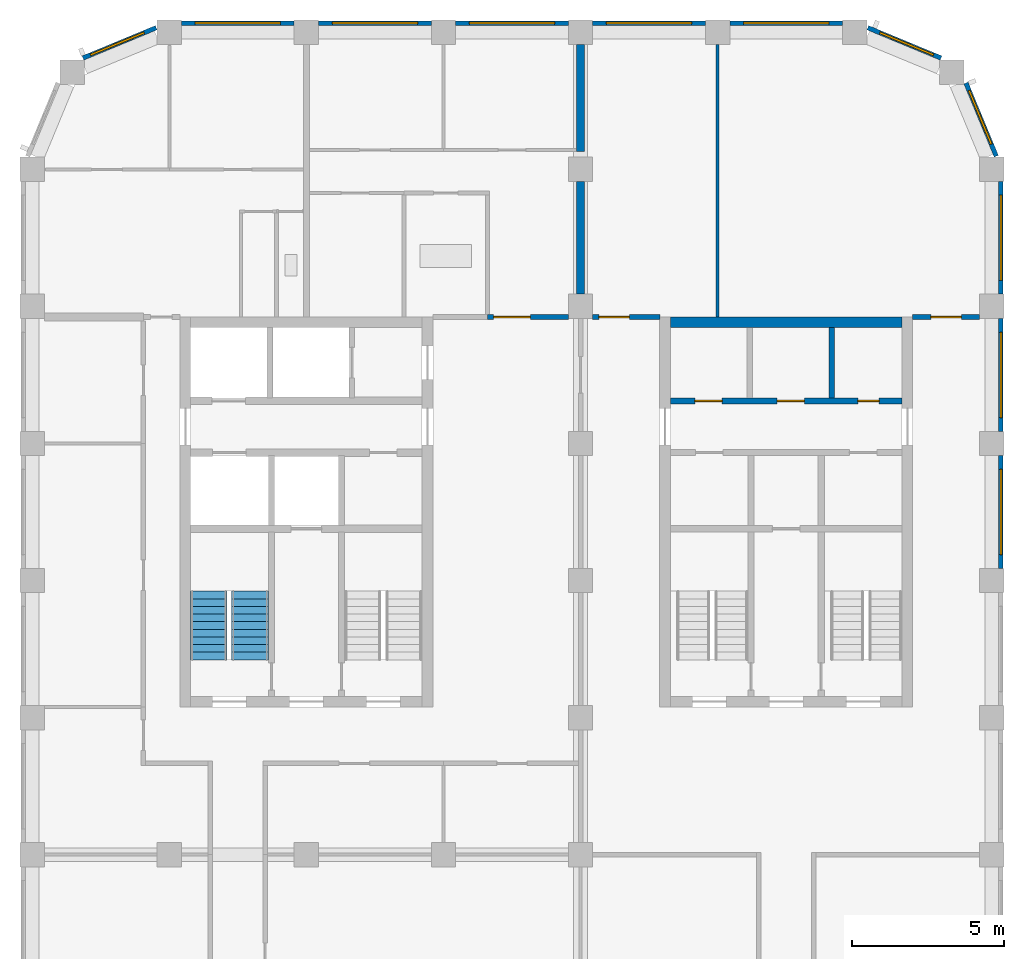
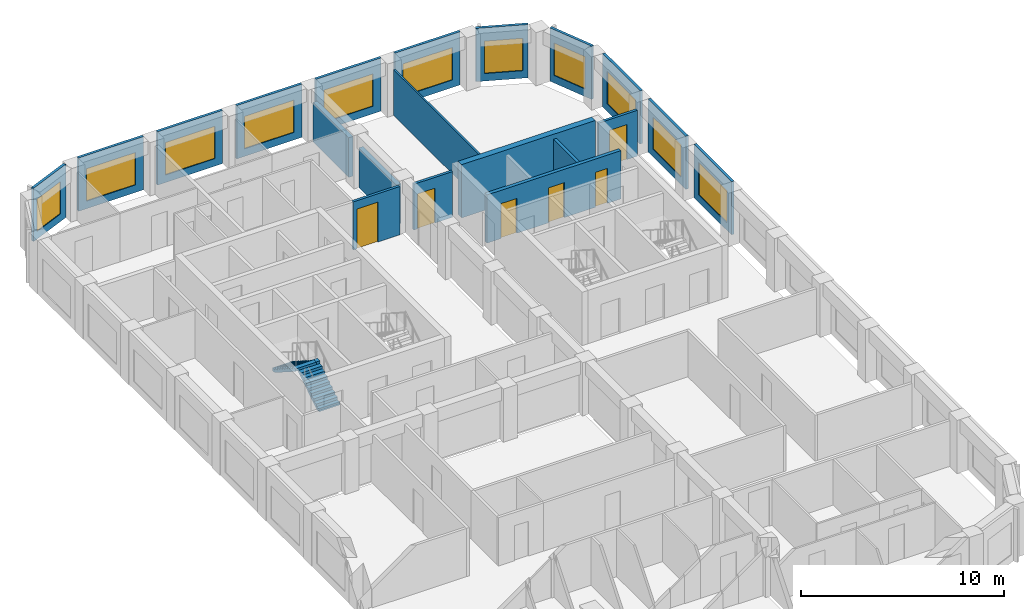
# One storey, part 7 of 10: 20 walls, 11 windows, 6 doors, 2 stair flights, 17 openings, 1 element without a shape of its own.
"""IFC4 building model written with IfcOpenShell, lengths in metres."""

from ifc_helpers import new_model, si_unit, direction, frame, frame_2d, origin, place, context, subcontext, project, spatial, polyline, rectangle, outline, extrude, material, layer, layer_set, type_object, element, fill, aggregate, save


model = new_model("IFC4")

# Units and contexts
model_context = context("Model", 3, precision=1e-05, world=origin(), true_north=direction((0.0, 1.0)))
body_context = subcontext(model_context, "Body", "Model", "MODEL_VIEW")
ifc_project = project(units=[si_unit("LENGTHUNIT", "METRE"), si_unit("AREAUNIT", "SQUARE_METRE"), si_unit("VOLUMEUNIT", "CUBIC_METRE"), si_unit("PLANEANGLEUNIT", "RADIAN"), si_unit("MASSUNIT", "GRAM", prefix="KILO")], contexts=[model_context])

# Site, building, storey
site_placement = place(None, origin())
site = spatial("IfcSite", under=ifc_project, at=site_placement, CompositionType="ELEMENT")
building_placement = place(site_placement, origin())
building = spatial("IfcBuilding", under=site, at=building_placement, Name="Girih Gate Residences", CompositionType="ELEMENT")
storey_placement = place(building_placement, frame((0.0, 0.0, 195.5)))
storey = spatial("IfcBuildingStorey", under=building, at=storey_placement, Name="L54", CompositionType="ELEMENT", Elevation=195.5)

# Walls
ifc_material_1 = material(Name="Gypsum board on steel studs", Category="steel")
ifc_layer_1 = layer(ifc_material_1, 0.25)
ifc_layer_set_1 = layer_set([ifc_layer_1], Name="Acoustic separating wall 250 mm")
wall_type_1 = type_object("IfcWallType", Name="Acoustic separating wall 250 mm", PredefinedType="PARTITIONING", material=ifc_layer_set_1)
wall_1_placement = place(storey_placement, frame((18.0, 45.590087890625, 0.0), z_axis=(0.0, 0.0, 1.0), x_axis=(0.0, 1.0, 0.0)))
element("IfcWall", 1, at=wall_1_placement, inside=storey, type_object=wall_type_1, Name="L54 partition", PredefinedType="PARTITIONING", context=body_context, shape_type="SweptSolid", body=[
    extrude(rectangle(XDim=3.510009765625, YDim=0.25, at=frame_2d((1.7548828125, 0.0))), origin(), (0.0, 0.0, 1.0), 2.3798828125),
])
wall_2_placement = place(storey_placement, frame((18.0, 40.89990234375, 0.0), z_axis=(0.0, 0.0, 1.0), x_axis=(0.0, 1.0, 0.0)))
element("IfcWall", 2, at=wall_2_placement, inside=storey, type_object=wall_type_1, Name="L54 partition", PredefinedType="PARTITIONING", context=body_context, shape_type="SweptSolid", body=[
    extrude(rectangle(XDim=3.7001953125, YDim=0.25, at=frame_2d((1.85009765625, 0.0))), origin(), (0.0, 0.0, 1.0), 2.3798828125),
])

# Wall, opening, door
ifc_layer_2 = layer(ifc_material_1, 0.14990234375)
ifc_layer_set_2 = layer_set([ifc_layer_2], Name="Compartment wall 150 mm")
wall_type_2 = type_object("IfcWallType", Name="Compartment wall 150 mm", PredefinedType="PARTITIONING", material=ifc_layer_set_2)
wall_3_placement = place(storey_placement, frame((14.949951171875, 40.14990234375, 0.0), z_axis=(0.0, 0.0, 1.0), x_axis=(1.0, 0.0, 0.0)))
wall_3 = element("IfcWall", 3, at=wall_3_placement, inside=storey, type_object=wall_type_2, Name="L54 partition", PredefinedType="PARTITIONING", context=body_context, shape_type="SweptSolid", body=[
    extrude(rectangle(XDim=2.650146484375, YDim=0.14990234375, at=frame_2d((1.3251953125, 0.0))), origin(), (0.0, 0.0, 1.0), 2.89990234375),
])
opening_1_placement = place(wall_3_placement, frame((0.199951171875, 0.0, 0.0)))
opening_1 = element("IfcOpeningElement", 4, at=opening_1_placement, cuts=wall_3, Name="Opening A54-020", PredefinedType="OPENING", context=body_context, shape_type="SweptSolid", body=[
    extrude(rectangle(XDim=1.199951171875, YDim=2.39990234375, at=frame_2d((0.60009765625, 1.199951171875))), frame((0.0, 0.0849609375, 0.0), z_axis=(0.0, -1.0, 0.0), x_axis=(1.0, 0.0, 0.0)), (0.0, 0.0, 1.0), 0.169921875),
])
ifc_material_2 = material(Name="Timber, fire-rated core", Category="wood")
door_type_1 = type_object("IfcDoorType", Name="Villa entrance door 1200x2400 FD30S", OperationType="NOTDEFINED", PredefinedType="DOOR", material=ifc_material_2)
door_1_placement = place(opening_1_placement, origin())
door_1 = element("IfcDoor", 5, at=door_1_placement, inside=storey, type_object=door_type_1, Name="Door A54-020", OperationType="SINGLE_SWING_LEFT", OverallHeight=2.39990234375, OverallWidth=1.199951171875, PredefinedType="DOOR", context=body_context, shape_type="SweptSolid", body=[
    extrude(rectangle(XDim=1.199951171875, YDim=2.39990234375, at=frame_2d((0.60009765625, 1.199951171875))), frame((0.0, 0.02490234375, 0.0), z_axis=(0.0, -1.0, 0.0), x_axis=(1.0, 0.0, 0.0)), (0.0, 0.0, 1.0), 0.050048828125),
])
fill(opening_1, door_1)

wall_4_placement = place(storey_placement, frame((18.39990234375, 40.14990234375, 0.0), z_axis=(0.0, 0.0, 1.0), x_axis=(1.0, 0.0, 0.0)))
wall_4 = element("IfcWall", 6, at=wall_4_placement, inside=storey, type_object=wall_type_2, Name="L54 partition", PredefinedType="PARTITIONING", context=body_context, shape_type="SweptSolid", body=[
    extrude(rectangle(XDim=2.2001953125, YDim=0.14990234375, at=frame_2d((1.10009765625, 0.0))), origin(), (0.0, 0.0, 1.0), 2.75),
])
opening_2_placement = place(wall_4_placement, frame((0.199951171875, 0.0, 0.0)))
opening_2 = element("IfcOpeningElement", 7, at=opening_2_placement, cuts=wall_4, Name="Opening A54-028", PredefinedType="OPENING", context=body_context, shape_type="SweptSolid", body=[
    extrude(rectangle(XDim=1.0, YDim=2.10009765625, at=frame_2d((0.5, 1.050048828125))), frame((0.0, 0.0849609375, 0.0), z_axis=(0.0, -1.0, 0.0), x_axis=(1.0, 0.0, 0.0)), (0.0, 0.0, 1.0), 0.169921875),
])
door_type_2 = type_object("IfcDoorType", Name="Amenity room door 1000x2100 FD30S", OperationType="NOTDEFINED", PredefinedType="DOOR", material=ifc_material_2)
door_2_placement = place(opening_2_placement, origin())
door_2 = element("IfcDoor", 8, at=door_2_placement, inside=storey, type_object=door_type_2, Name="Door A54-028", OperationType="SINGLE_SWING_LEFT", OverallHeight=2.10009765625, OverallWidth=1.0, PredefinedType="DOOR", context=body_context, shape_type="SweptSolid", body=[
    extrude(rectangle(XDim=1.0, YDim=2.10009765625, at=frame_2d((0.5, 1.050048828125))), frame((0.0, 0.02490234375, 0.0), z_axis=(0.0, -1.0, 0.0), x_axis=(1.0, 0.0, 0.0)), (0.0, 0.0, 1.0), 0.050048828125),
])
fill(opening_2, door_2)

wall_5_placement = place(storey_placement, frame((28.89990234375, 40.14990234375, 0.0), z_axis=(0.0, 0.0, 1.0), x_axis=(1.0, 0.0, 0.0)))
wall_5 = element("IfcWall", 9, at=wall_5_placement, inside=storey, type_object=wall_type_2, Name="L54 partition", PredefinedType="PARTITIONING", context=body_context, shape_type="SweptSolid", body=[
    extrude(rectangle(XDim=2.2001953125, YDim=0.14990234375, at=frame_2d((1.10009765625, 0.0))), origin(), (0.0, 0.0, 1.0), 2.75),
])
opening_3_placement = place(wall_5_placement, frame((0.60009765625, 0.0, 0.0)))
opening_3 = element("IfcOpeningElement", 10, at=opening_3_placement, cuts=wall_5, Name="Opening A54-029", PredefinedType="OPENING", context=body_context, shape_type="SweptSolid", body=[
    extrude(rectangle(XDim=1.0, YDim=2.10009765625, at=frame_2d((0.5, 1.050048828125))), frame((0.0, 0.0849609375, 0.0), z_axis=(0.0, -1.0, 0.0), x_axis=(1.0, 0.0, 0.0)), (0.0, 0.0, 1.0), 0.169921875),
])
door_3_placement = place(opening_3_placement, origin())
door_3 = element("IfcDoor", 11, at=door_3_placement, inside=storey, type_object=door_type_2, Name="Door A54-029", OperationType="SINGLE_SWING_RIGHT", OverallHeight=2.10009765625, OverallWidth=1.0, PredefinedType="DOOR", context=body_context, shape_type="SweptSolid", body=[
    extrude(rectangle(XDim=1.0, YDim=2.10009765625, at=frame_2d((0.5, 1.050048828125))), frame((0.0, 0.02490234375, 0.0), z_axis=(0.0, -1.0, 0.0), x_axis=(1.0, 0.0, 0.0)), (0.0, 0.0, 1.0), 0.050048828125),
])
fill(opening_3, door_3)

# Wall
ifc_layer_3 = layer(ifc_material_1, 0.10009765625)
ifc_layer_set_3 = layer_set([ifc_layer_3], Name="Partition 100 mm")
wall_type_3 = type_object("IfcWallType", Name="Partition 100 mm", PredefinedType="PARTITIONING", material=ifc_layer_set_3)
wall_6_placement = place(storey_placement, frame((22.5, 40.14990234375, 0.0), z_axis=(0.0, 0.0, 1.0), x_axis=(0.0, 1.0, 0.0)))
element("IfcWall", 12, at=wall_6_placement, inside=storey, type_object=wall_type_3, Name="L54 partition", PredefinedType="PARTITIONING", context=body_context, shape_type="SweptSolid", body=[
    extrude(rectangle(XDim=8.9501953125, YDim=0.10009765625, at=frame_2d((4.47509765625, 0.0))), origin(), (0.0, 0.0, 1.0), 2.75),
])

# Wall, opening, window
ifc_material_3 = material(Name="Precast concrete C50/60", Category="concrete")
ifc_layer_4 = layer(ifc_material_3, 0.050048828125, Name="Outer leaf")
ifc_material_4 = material(Name="Rigid PIR insulation")
ifc_layer_5 = layer(ifc_material_4, 0.06005859375, Name="Insulation")
ifc_material_5 = material(Name="Precast concrete C40/50", Category="concrete")
ifc_layer_6 = layer(ifc_material_5, 0.0400390625, Name="Inner leaf")
ifc_layer_set_4 = layer_set([ifc_layer_4, ifc_layer_5, ifc_layer_6], Name="Precast concrete C50/60 external wall 150")
wall_type_4 = type_object("IfcWallType", Name="Precast concrete C50/60 external wall 150", PredefinedType="SOLIDWALL", material=ifc_layer_set_4)
wall_7_placement = place(storey_placement, frame((31.800048828125, 35.60009765625, 0.0), z_axis=(0.0, 0.0, 1.0), x_axis=(0.0, -1.0, 0.0)))
wall_7 = element("IfcWall", 13, at=wall_7_placement, inside=storey, type_object=wall_type_4, Name="External wall E0315_0045.6", PredefinedType="SOLIDWALL", context=body_context, shape_type="SweptSolid", body=[
    extrude(rectangle(XDim=3.7001953125, YDim=0.14990234375, at=frame_2d((1.85009765625, 0.0))), origin(), (0.0, 0.0, 1.0), 3.199951171875),
])
opening_4_placement = place(wall_7_placement, frame((0.449951171875, 0.0, 0.449951171875)))
opening_4 = element("IfcOpeningElement", 14, at=opening_4_placement, cuts=wall_7, Name="Opening W-1B", PredefinedType="OPENING", context=body_context, shape_type="SweptSolid", body=[
    extrude(rectangle(XDim=2.800048828125, YDim=1.949951171875, at=frame_2d((1.39990234375, 0.97509765625))), frame((0.0, 0.0849609375, 0.0), z_axis=(0.0, -1.0, 0.0), x_axis=(1.0, 0.0, 0.0)), (0.0, 0.0, 1.0), 0.169921875),
])
ifc_material_6 = material(Name="Double glazing in aluminium frame", Category="aluminium")
window_type_1 = type_object("IfcWindowType", Name="Window W-1B 2800x1950", PartitioningType="SINGLE_PANEL", PredefinedType="WINDOW", material=ifc_material_6)
window_1_placement = place(opening_4_placement, origin())
window_1 = element("IfcWindow", 15, at=window_1_placement, inside=storey, type_object=window_type_1, Name="Window W-1B E0315_0045.6", OverallHeight=1.949951171875, OverallWidth=2.800048828125, PartitioningType="SINGLE_PANEL", PredefinedType="WINDOW", context=body_context, shape_type="SweptSolid", body=[
    extrude(rectangle(XDim=2.800048828125, YDim=1.949951171875, at=frame_2d((1.39990234375, 0.97509765625))), frame((0.0, 0.030029296875, 0.0), z_axis=(0.0, -1.0, 0.0), x_axis=(1.0, 0.0, 0.0)), (0.0, 0.0, 1.0), 0.06005859375),
])
fill(opening_4, window_1)

wall_8_placement = place(storey_placement, frame((31.800048828125, 40.10009765625, 0.0), z_axis=(0.0, 0.0, 1.0), x_axis=(0.0, -1.0, 0.0)))
wall_8 = element("IfcWall", 16, at=wall_8_placement, inside=storey, type_object=wall_type_4, Name="External wall E0315_0045.7", PredefinedType="SOLIDWALL", context=body_context, shape_type="SweptSolid", body=[
    extrude(rectangle(XDim=3.7001953125, YDim=0.14990234375, at=frame_2d((1.85009765625, 0.0))), origin(), (0.0, 0.0, 1.0), 3.199951171875),
])
opening_5_placement = place(wall_8_placement, frame((0.449951171875, 0.0, 0.449951171875)))
opening_5 = element("IfcOpeningElement", 17, at=opening_5_placement, cuts=wall_8, Name="Opening W-1B", PredefinedType="OPENING", context=body_context, shape_type="SweptSolid", body=[
    extrude(rectangle(XDim=2.800048828125, YDim=1.949951171875, at=frame_2d((1.39990234375, 0.97509765625))), frame((0.0, 0.0849609375, 0.0), z_axis=(0.0, -1.0, 0.0), x_axis=(1.0, 0.0, 0.0)), (0.0, 0.0, 1.0), 0.169921875),
])
window_2_placement = place(opening_5_placement, origin())
window_2 = element("IfcWindow", 18, at=window_2_placement, inside=storey, type_object=window_type_1, Name="Window W-1B E0315_0045.7", OverallHeight=1.949951171875, OverallWidth=2.800048828125, PartitioningType="SINGLE_PANEL", PredefinedType="WINDOW", context=body_context, shape_type="SweptSolid", body=[
    extrude(rectangle(XDim=2.800048828125, YDim=1.949951171875, at=frame_2d((1.39990234375, 0.97509765625))), frame((0.0, 0.030029296875, 0.0), z_axis=(0.0, -1.0, 0.0), x_axis=(1.0, 0.0, 0.0)), (0.0, 0.0, 1.0), 0.06005859375),
])
fill(opening_5, window_2)

wall_9_placement = place(storey_placement, frame((31.800048828125, 44.60009765625, 0.0), z_axis=(0.0, 0.0, 1.0), x_axis=(0.0, -1.0, 0.0)))
wall_9 = element("IfcWall", 19, at=wall_9_placement, inside=storey, type_object=wall_type_4, Name="External wall E0315_0045.8", PredefinedType="SOLIDWALL", context=body_context, shape_type="SweptSolid", body=[
    extrude(rectangle(XDim=3.7001953125, YDim=0.14990234375, at=frame_2d((1.85009765625, 0.0))), origin(), (0.0, 0.0, 1.0), 3.199951171875),
])
opening_6_placement = place(wall_9_placement, frame((0.449951171875, 0.0, 0.449951171875)))
opening_6 = element("IfcOpeningElement", 20, at=opening_6_placement, cuts=wall_9, Name="Opening W-1B", PredefinedType="OPENING", context=body_context, shape_type="SweptSolid", body=[
    extrude(rectangle(XDim=2.800048828125, YDim=1.949951171875, at=frame_2d((1.39990234375, 0.97509765625))), frame((0.0, 0.0849609375, 0.0), z_axis=(0.0, -1.0, 0.0), x_axis=(1.0, 0.0, 0.0)), (0.0, 0.0, 1.0), 0.169921875),
])
window_3_placement = place(opening_6_placement, origin())
window_3 = element("IfcWindow", 21, at=window_3_placement, inside=storey, type_object=window_type_1, Name="Window W-1B E0315_0045.8", OverallHeight=1.949951171875, OverallWidth=2.800048828125, PartitioningType="SINGLE_PANEL", PredefinedType="WINDOW", context=body_context, shape_type="SweptSolid", body=[
    extrude(rectangle(XDim=2.800048828125, YDim=1.949951171875, at=frame_2d((1.39990234375, 0.97509765625))), frame((0.0, 0.030029296875, 0.0), z_axis=(0.0, -1.0, 0.0), x_axis=(1.0, 0.0, 0.0)), (0.0, 0.0, 1.0), 0.06005859375),
])
fill(opening_6, window_3)

wall_10_placement = place(storey_placement, frame((30.6513671875, 47.8330078125, 0.0), z_axis=(0.0, 0.0, 1.0), x_axis=(0.382669406082, -0.923885342263, 0.0)))
wall_10 = element("IfcWall", 22, at=wall_10_placement, inside=storey, type_object=wall_type_4, Name="External wall NE0315_0450.0", PredefinedType="SOLIDWALL", context=body_context, shape_type="SweptSolid", body=[
    extrude(rectangle(XDim=2.602294921875, YDim=0.14990234375, at=frame_2d((1.30126953125, 0.0))), origin(), (0.0, 0.0, 1.0), 3.199951171875),
])
opening_7_placement = place(wall_10_placement, frame((0.27001953125, 0.0, 0.449951171875)))
opening_7 = element("IfcOpeningElement", 23, at=opening_7_placement, cuts=wall_10, Name="Opening W-2G", PredefinedType="OPENING", context=body_context, shape_type="SweptSolid", body=[
    extrude(rectangle(XDim=1.89990234375, YDim=1.949951171875, at=frame_2d((0.949951171875, 0.97509765625))), frame((0.0, 0.0849609375, 0.0), z_axis=(0.0, -1.0, 0.0), x_axis=(1.0, 0.0, 0.0)), (0.0, 0.0, 1.0), 0.169921875),
])
window_type_2 = type_object("IfcWindowType", Name="Window W-2G 1900x1950", PartitioningType="SINGLE_PANEL", PredefinedType="WINDOW", material=ifc_material_6)
window_4_placement = place(opening_7_placement, origin())
window_4 = element("IfcWindow", 24, at=window_4_placement, inside=storey, type_object=window_type_2, Name="Window W-2G NE0315_0450.0", OverallHeight=1.949951171875, OverallWidth=1.89990234375, PartitioningType="SINGLE_PANEL", PredefinedType="WINDOW", context=body_context, shape_type="SweptSolid", body=[
    extrude(rectangle(XDim=1.89990234375, YDim=1.949951171875, at=frame_2d((0.949951171875, 0.97509765625))), frame((0.0, 0.030029296875, 0.0), z_axis=(0.0, -1.0, 0.0), x_axis=(1.0, 0.0, 0.0)), (0.0, 0.0, 1.0), 0.06005859375),
])
fill(opening_7, window_4)

wall_11_placement = place(storey_placement, frame((27.4287109375, 49.647216796875, 0.0), z_axis=(0.0, 0.0, 1.0), x_axis=(0.923885342263, -0.382669406082, 0.0)))
wall_11 = element("IfcWall", 25, at=wall_11_placement, inside=storey, type_object=wall_type_4, Name="External wall NE0302_0482.0", PredefinedType="SOLIDWALL", context=body_context, shape_type="SweptSolid", body=[
    extrude(rectangle(XDim=2.602294921875, YDim=0.14990234375, at=frame_2d((1.30126953125, 0.0))), origin(), (0.0, 0.0, 1.0), 3.199951171875),
])
opening_8_placement = place(wall_11_placement, frame((0.432373046875, 0.0, 0.449951171875)))
opening_8 = element("IfcOpeningElement", 26, at=opening_8_placement, cuts=wall_11, Name="Opening W-2G", PredefinedType="OPENING", context=body_context, shape_type="SweptSolid", body=[
    extrude(rectangle(XDim=1.89990234375, YDim=1.949951171875, at=frame_2d((0.949951171875, 0.97509765625))), frame((0.0, 0.0849609375, 0.0), z_axis=(0.0, -1.0, 0.0), x_axis=(1.0, 0.0, 0.0)), (0.0, 0.0, 1.0), 0.169921875),
])
window_5_placement = place(opening_8_placement, origin())
window_5 = element("IfcWindow", 27, at=window_5_placement, inside=storey, type_object=window_type_2, Name="Window W-2G NE0302_0482.0", OverallHeight=1.949951171875, OverallWidth=1.89990234375, PartitioningType="SINGLE_PANEL", PredefinedType="WINDOW", context=body_context, shape_type="SweptSolid", body=[
    extrude(rectangle(XDim=1.89990234375, YDim=1.949951171875, at=frame_2d((0.949951171875, 0.97509765625))), frame((0.0, 0.030029296875, 0.0), z_axis=(0.0, -1.0, 0.0), x_axis=(1.0, 0.0, 0.0)), (0.0, 0.0, 1.0), 0.06005859375),
])
fill(opening_8, window_5)

wall_12_placement = place(storey_placement, frame((22.89990234375, 49.800048828125, 0.0), z_axis=(0.0, 0.0, 1.0), x_axis=(1.0, 0.0, 0.0)))
wall_12 = element("IfcWall", 28, at=wall_12_placement, inside=storey, type_object=wall_type_4, Name="External wall N0270_0495.0", PredefinedType="SOLIDWALL", context=body_context, shape_type="SweptSolid", body=[
    extrude(rectangle(XDim=3.7001953125, YDim=0.14990234375, at=frame_2d((1.85009765625, 0.0))), origin(), (0.0, 0.0, 1.0), 3.199951171875),
])
opening_9_placement = place(wall_12_placement, frame((0.449951171875, 0.0, 0.449951171875)))
opening_9 = element("IfcOpeningElement", 29, at=opening_9_placement, cuts=wall_12, Name="Opening W-1B", PredefinedType="OPENING", context=body_context, shape_type="SweptSolid", body=[
    extrude(rectangle(XDim=2.800048828125, YDim=1.949951171875, at=frame_2d((1.39990234375, 0.97509765625))), frame((0.0, 0.0849609375, 0.0), z_axis=(0.0, -1.0, 0.0), x_axis=(1.0, 0.0, 0.0)), (0.0, 0.0, 1.0), 0.169921875),
])
window_6_placement = place(opening_9_placement, origin())
window_6 = element("IfcWindow", 30, at=window_6_placement, inside=storey, type_object=window_type_1, Name="Window W-1B N0270_0495.0", OverallHeight=1.949951171875, OverallWidth=2.800048828125, PartitioningType="SINGLE_PANEL", PredefinedType="WINDOW", context=body_context, shape_type="SweptSolid", body=[
    extrude(rectangle(XDim=2.800048828125, YDim=1.949951171875, at=frame_2d((1.39990234375, 0.97509765625))), frame((0.0, 0.030029296875, 0.0), z_axis=(0.0, -1.0, 0.0), x_axis=(1.0, 0.0, 0.0)), (0.0, 0.0, 1.0), 0.06005859375),
])
fill(opening_9, window_6)

wall_13_placement = place(storey_placement, frame((18.39990234375, 49.800048828125, 0.0), z_axis=(0.0, 0.0, 1.0), x_axis=(1.0, 0.0, 0.0)))
wall_13 = element("IfcWall", 31, at=wall_13_placement, inside=storey, type_object=wall_type_4, Name="External wall N0270_0495.1", PredefinedType="SOLIDWALL", context=body_context, shape_type="SweptSolid", body=[
    extrude(rectangle(XDim=3.7001953125, YDim=0.14990234375, at=frame_2d((1.85009765625, 0.0))), origin(), (0.0, 0.0, 1.0), 3.199951171875),
])
opening_10_placement = place(wall_13_placement, frame((0.449951171875, 0.0, 0.449951171875)))
opening_10 = element("IfcOpeningElement", 32, at=opening_10_placement, cuts=wall_13, Name="Opening W-1B", PredefinedType="OPENING", context=body_context, shape_type="SweptSolid", body=[
    extrude(rectangle(XDim=2.800048828125, YDim=1.949951171875, at=frame_2d((1.39990234375, 0.97509765625))), frame((0.0, 0.0849609375, 0.0), z_axis=(0.0, -1.0, 0.0), x_axis=(1.0, 0.0, 0.0)), (0.0, 0.0, 1.0), 0.169921875),
])
window_7_placement = place(opening_10_placement, origin())
window_7 = element("IfcWindow", 33, at=window_7_placement, inside=storey, type_object=window_type_1, Name="Window W-1B N0270_0495.1", OverallHeight=1.949951171875, OverallWidth=2.800048828125, PartitioningType="SINGLE_PANEL", PredefinedType="WINDOW", context=body_context, shape_type="SweptSolid", body=[
    extrude(rectangle(XDim=2.800048828125, YDim=1.949951171875, at=frame_2d((1.39990234375, 0.97509765625))), frame((0.0, 0.030029296875, 0.0), z_axis=(0.0, -1.0, 0.0), x_axis=(1.0, 0.0, 0.0)), (0.0, 0.0, 1.0), 0.06005859375),
])
fill(opening_10, window_7)

wall_14_placement = place(storey_placement, frame((13.89990234375, 49.800048828125, 0.0), z_axis=(0.0, 0.0, 1.0), x_axis=(1.0, 0.0, 0.0)))
wall_14 = element("IfcWall", 34, at=wall_14_placement, inside=storey, type_object=wall_type_4, Name="External wall N0270_0495.2", PredefinedType="SOLIDWALL", context=body_context, shape_type="SweptSolid", body=[
    extrude(rectangle(XDim=3.7001953125, YDim=0.14990234375, at=frame_2d((1.85009765625, 0.0))), origin(), (0.0, 0.0, 1.0), 3.199951171875),
])
opening_11_placement = place(wall_14_placement, frame((0.449951171875, 0.0, 0.449951171875)))
opening_11 = element("IfcOpeningElement", 35, at=opening_11_placement, cuts=wall_14, Name="Opening W-1B", PredefinedType="OPENING", context=body_context, shape_type="SweptSolid", body=[
    extrude(rectangle(XDim=2.800048828125, YDim=1.949951171875, at=frame_2d((1.39990234375, 0.97509765625))), frame((0.0, 0.0849609375, 0.0), z_axis=(0.0, -1.0, 0.0), x_axis=(1.0, 0.0, 0.0)), (0.0, 0.0, 1.0), 0.169921875),
])
window_8_placement = place(opening_11_placement, origin())
window_8 = element("IfcWindow", 36, at=window_8_placement, inside=storey, type_object=window_type_1, Name="Window W-1B N0270_0495.2", OverallHeight=1.949951171875, OverallWidth=2.800048828125, PartitioningType="SINGLE_PANEL", PredefinedType="WINDOW", context=body_context, shape_type="SweptSolid", body=[
    extrude(rectangle(XDim=2.800048828125, YDim=1.949951171875, at=frame_2d((1.39990234375, 0.97509765625))), frame((0.0, 0.030029296875, 0.0), z_axis=(0.0, -1.0, 0.0), x_axis=(1.0, 0.0, 0.0)), (0.0, 0.0, 1.0), 0.06005859375),
])
fill(opening_11, window_8)

wall_15_placement = place(storey_placement, frame((9.39990234375, 49.800048828125, 0.0), z_axis=(0.0, 0.0, 1.0), x_axis=(1.0, 0.0, 0.0)))
wall_15 = element("IfcWall", 37, at=wall_15_placement, inside=storey, type_object=wall_type_4, Name="External wall N0270_0495.3", PredefinedType="SOLIDWALL", context=body_context, shape_type="SweptSolid", body=[
    extrude(rectangle(XDim=3.7001953125, YDim=0.14990234375, at=frame_2d((1.85009765625, 0.0))), origin(), (0.0, 0.0, 1.0), 3.199951171875),
])
opening_12_placement = place(wall_15_placement, frame((0.449951171875, 0.0, 0.449951171875)))
opening_12 = element("IfcOpeningElement", 38, at=opening_12_placement, cuts=wall_15, Name="Opening W-1B", PredefinedType="OPENING", context=body_context, shape_type="SweptSolid", body=[
    extrude(rectangle(XDim=2.800048828125, YDim=1.949951171875, at=frame_2d((1.39990234375, 0.97509765625))), frame((0.0, 0.0849609375, 0.0), z_axis=(0.0, -1.0, 0.0), x_axis=(1.0, 0.0, 0.0)), (0.0, 0.0, 1.0), 0.169921875),
])
window_9_placement = place(opening_12_placement, origin())
window_9 = element("IfcWindow", 39, at=window_9_placement, inside=storey, type_object=window_type_1, Name="Window W-1B N0270_0495.3", OverallHeight=1.949951171875, OverallWidth=2.800048828125, PartitioningType="SINGLE_PANEL", PredefinedType="WINDOW", context=body_context, shape_type="SweptSolid", body=[
    extrude(rectangle(XDim=2.800048828125, YDim=1.949951171875, at=frame_2d((1.39990234375, 0.97509765625))), frame((0.0, 0.030029296875, 0.0), z_axis=(0.0, -1.0, 0.0), x_axis=(1.0, 0.0, 0.0)), (0.0, 0.0, 1.0), 0.06005859375),
])
fill(opening_12, window_9)

wall_16_placement = place(storey_placement, frame((4.89990234375, 49.800048828125, 0.0), z_axis=(0.0, 0.0, 1.0), x_axis=(1.0, 0.0, 0.0)))
wall_16 = element("IfcWall", 40, at=wall_16_placement, inside=storey, type_object=wall_type_4, Name="External wall N0270_0495.4", PredefinedType="SOLIDWALL", context=body_context, shape_type="SweptSolid", body=[
    extrude(rectangle(XDim=3.7001953125, YDim=0.14990234375, at=frame_2d((1.85009765625, 0.0))), origin(), (0.0, 0.0, 1.0), 3.199951171875),
])
opening_13_placement = place(wall_16_placement, frame((0.449951171875, 0.0, 0.449951171875)))
opening_13 = element("IfcOpeningElement", 41, at=opening_13_placement, cuts=wall_16, Name="Opening W-1B", PredefinedType="OPENING", context=body_context, shape_type="SweptSolid", body=[
    extrude(rectangle(XDim=2.800048828125, YDim=1.949951171875, at=frame_2d((1.39990234375, 0.97509765625))), frame((0.0, 0.0849609375, 0.0), z_axis=(0.0, -1.0, 0.0), x_axis=(1.0, 0.0, 0.0)), (0.0, 0.0, 1.0), 0.169921875),
])
window_10_placement = place(opening_13_placement, origin())
window_10 = element("IfcWindow", 42, at=window_10_placement, inside=storey, type_object=window_type_1, Name="Window W-1B N0270_0495.4", OverallHeight=1.949951171875, OverallWidth=2.800048828125, PartitioningType="SINGLE_PANEL", PredefinedType="WINDOW", context=body_context, shape_type="SweptSolid", body=[
    extrude(rectangle(XDim=2.800048828125, YDim=1.949951171875, at=frame_2d((1.39990234375, 0.97509765625))), frame((0.0, 0.030029296875, 0.0), z_axis=(0.0, -1.0, 0.0), x_axis=(1.0, 0.0, 0.0)), (0.0, 0.0, 1.0), 0.06005859375),
])
fill(opening_13, window_10)

wall_17_placement = place(storey_placement, frame((1.6669921875, 48.6513671875, 0.0), z_axis=(0.0, 0.0, 1.0), x_axis=(0.923885342263, 0.382669406082, 0.0)))
wall_17 = element("IfcWall", 43, at=wall_17_placement, inside=storey, type_object=wall_type_4, Name="External wall NW0045_0495.0", PredefinedType="SOLIDWALL", context=body_context, shape_type="SweptSolid", body=[
    extrude(rectangle(XDim=2.602294921875, YDim=0.14990234375, at=frame_2d((1.30126953125, 0.0))), origin(), (0.0, 0.0, 1.0), 3.199951171875),
])
opening_14_placement = place(wall_17_placement, frame((0.27001953125, 0.0, 0.449951171875)))
opening_14 = element("IfcOpeningElement", 44, at=opening_14_placement, cuts=wall_17, Name="Opening W-2G", PredefinedType="OPENING", context=body_context, shape_type="SweptSolid", body=[
    extrude(rectangle(XDim=1.89990234375, YDim=1.949951171875, at=frame_2d((0.949951171875, 0.97509765625))), frame((0.0, 0.0849609375, 0.0), z_axis=(0.0, -1.0, 0.0), x_axis=(1.0, 0.0, 0.0)), (0.0, 0.0, 1.0), 0.169921875),
])
window_11_placement = place(opening_14_placement, origin())
window_11 = element("IfcWindow", 45, at=window_11_placement, inside=storey, type_object=window_type_2, Name="Window W-2G NW0045_0495.0", OverallHeight=1.949951171875, OverallWidth=1.89990234375, PartitioningType="SINGLE_PANEL", PredefinedType="WINDOW", context=body_context, shape_type="SweptSolid", body=[
    extrude(rectangle(XDim=1.89990234375, YDim=1.949951171875, at=frame_2d((0.949951171875, 0.97509765625))), frame((0.0, 0.030029296875, 0.0), z_axis=(0.0, -1.0, 0.0), x_axis=(1.0, 0.0, 0.0)), (0.0, 0.0, 1.0), 0.06005859375),
])
fill(opening_14, window_11)

# Wall
ifc_material_7 = material(Name="Concrete C40/50", Category="concrete")
ifc_layer_7 = layer(ifc_material_7, 0.175048828125)
ifc_layer_set_5 = layer_set([ifc_layer_7], Name="Riser shaft wall 175")
wall_type_5 = type_object("IfcWallType", Name="Riser shaft wall 175", PredefinedType="SOLIDWALL", material=ifc_layer_set_5)
wall_18_placement = place(storey_placement, frame((26.25, 37.5, 0.0), z_axis=(0.0, 0.0, 1.0), x_axis=(0.0, 1.0, 0.0)))
element("IfcWall", 46, at=wall_18_placement, inside=storey, type_object=wall_type_5, Name="L54 C core wall V2c", PredefinedType="SOLIDWALL", context=body_context, shape_type="SweptSolid", body=[
    extrude(rectangle(XDim=2.300048828125, YDim=0.175048828125, at=frame_2d((1.14990234375, 0.0))), origin(), (0.0, 0.0, 1.0), 2.89990234375),
])

# Wall, openings, doors
ifc_layer_8 = layer(ifc_material_7, 0.199951171875)
ifc_layer_set_6 = layer_set([ifc_layer_8], Name="Shaft wall 200")
wall_type_6 = type_object("IfcWallType", Name="Shaft wall 200", PredefinedType="SOLIDWALL", material=ifc_layer_set_6)
wall_19_placement = place(storey_placement, frame((20.949951171875, 37.39990234375, 0.0), z_axis=(0.0, 0.0, 1.0), x_axis=(1.0, 0.0, 0.0)))
wall_19 = element("IfcWall", 47, at=wall_19_placement, inside=storey, type_object=wall_type_6, Name="L54 C core wall H3", PredefinedType="SOLIDWALL", context=body_context, shape_type="SweptSolid", body=[
    extrude(rectangle(XDim=7.60009765625, YDim=0.199951171875, at=frame_2d((3.800048828125, 0.0))), origin(), (0.0, 0.0, 1.0), 2.89990234375),
])
opening_15_placement = place(wall_19_placement, frame((6.14990234375, 0.0, 0.0)))
opening_15 = element("IfcOpeningElement", 48, at=opening_15_placement, cuts=wall_19, Name="Opening D-L54-C-003", PredefinedType="OPENING", context=body_context, shape_type="SweptSolid", body=[
    extrude(rectangle(XDim=0.699951171875, YDim=2.10009765625, at=frame_2d((0.35009765625, 1.050048828125))), frame((0.0, 0.10986328125, 0.0), z_axis=(0.0, -1.0, 0.0), x_axis=(1.0, 0.0, 0.0)), (0.0, 0.0, 1.0), 0.219970703125),
])
opening_16_placement = place(wall_19_placement, frame((0.800048828125, 0.0, 0.0)))
opening_16 = element("IfcOpeningElement", 49, at=opening_16_placement, cuts=wall_19, Name="Opening D-L54-C-006", PredefinedType="OPENING", context=body_context, shape_type="SweptSolid", body=[
    extrude(rectangle(XDim=0.89990234375, YDim=2.10009765625, at=frame_2d((0.449951171875, 1.050048828125))), frame((0.0, 0.10986328125, 0.0), z_axis=(0.0, -1.0, 0.0), x_axis=(1.0, 0.0, 0.0)), (0.0, 0.0, 1.0), 0.219970703125),
])
opening_17_placement = place(wall_19_placement, frame((3.5, 0.0, 0.0)))
opening_17 = element("IfcOpeningElement", 50, at=opening_17_placement, cuts=wall_19, Name="Opening D-L54-C-007", PredefinedType="OPENING", context=body_context, shape_type="SweptSolid", body=[
    extrude(rectangle(XDim=0.89990234375, YDim=2.10009765625, at=frame_2d((0.449951171875, 1.050048828125))), frame((0.0, 0.10986328125, 0.0), z_axis=(0.0, -1.0, 0.0), x_axis=(1.0, 0.0, 0.0)), (0.0, 0.0, 1.0), 0.219970703125),
])
ifc_material_8 = material(Name="Painted steel, fire-resisting", Category="steel")
door_type_3 = type_object("IfcDoorType", Name="Fire door 900x2100", OperationType="SINGLE_SWING_LEFT", PredefinedType="DOOR", material=ifc_material_8)
door_4_placement = place(opening_16_placement, origin())
door_4 = element("IfcDoor", 51, at=door_4_placement, inside=storey, type_object=door_type_3, Name="L54 C store door", OperationType="SINGLE_SWING_LEFT", OverallHeight=2.10009765625, OverallWidth=0.89990234375, PredefinedType="DOOR", context=body_context, shape_type="SweptSolid", body=[
    extrude(rectangle(XDim=0.89990234375, YDim=2.10009765625, at=frame_2d((0.449951171875, 1.050048828125))), frame((0.0, 0.02490234375, 0.0), z_axis=(0.0, -1.0, 0.0), x_axis=(1.0, 0.0, 0.0)), (0.0, 0.0, 1.0), 0.050048828125),
])
fill(opening_16, door_4)
door_5_placement = place(opening_17_placement, origin())
door_5 = element("IfcDoor", 52, at=door_5_placement, inside=storey, type_object=door_type_3, Name="L54 C refuse store door", OperationType="SINGLE_SWING_LEFT", OverallHeight=2.10009765625, OverallWidth=0.89990234375, PredefinedType="DOOR", context=body_context, shape_type="SweptSolid", body=[
    extrude(rectangle(XDim=0.89990234375, YDim=2.10009765625, at=frame_2d((0.449951171875, 1.050048828125))), frame((0.0, 0.02490234375, 0.0), z_axis=(0.0, -1.0, 0.0), x_axis=(1.0, 0.0, 0.0)), (0.0, 0.0, 1.0), 0.050048828125),
])
fill(opening_17, door_5)
door_type_4 = type_object("IfcDoorType", Name="Riser access door 700x2100", OperationType="SINGLE_SWING_LEFT", PredefinedType="DOOR", material=ifc_material_8)
door_6_placement = place(opening_15_placement, origin())
door_6 = element("IfcDoor", 53, at=door_6_placement, inside=storey, type_object=door_type_4, Name="L54 C riser room door", OperationType="SINGLE_SWING_LEFT", OverallHeight=2.10009765625, OverallWidth=0.699951171875, PredefinedType="DOOR", context=body_context, shape_type="SweptSolid", body=[
    extrude(rectangle(XDim=0.699951171875, YDim=2.10009765625, at=frame_2d((0.35009765625, 1.050048828125))), frame((0.0, 0.02490234375, 0.0), z_axis=(0.0, -1.0, 0.0), x_axis=(1.0, 0.0, 0.0)), (0.0, 0.0, 1.0), 0.050048828125),
])
fill(opening_15, door_6)

# Wall
ifc_layer_9 = layer(ifc_material_7, 0.35009765625)
ifc_layer_set_7 = layer_set([ifc_layer_9], Name="Stair core wall RC 350 Concrete C40/50")
wall_type_7 = type_object("IfcWallType", Name="Stair core wall RC 350 Concrete C40/50", PredefinedType="SOLIDWALL", material=ifc_layer_set_7)
wall_20_placement = place(storey_placement, frame((20.949951171875, 39.97509765625, 0.0), z_axis=(0.0, 0.0, 1.0), x_axis=(1.0, 0.0, 0.0)))
element("IfcWall", 54, at=wall_20_placement, inside=storey, type_object=wall_type_7, Name="Stair core wall C-N L54", PredefinedType="SOLIDWALL", context=body_context, shape_type="SweptSolid", body=[
    extrude(rectangle(XDim=7.60009765625, YDim=0.35009765625, at=frame_2d((3.800048828125, 0.0))), origin(), (0.0, 0.0, 1.0), 3.199951171875),
])

# Stair, stair flights
stair_type = type_object("IfcStairType", Name="Exit stair", PredefinedType="HALF_TURN_STAIR", material=ifc_material_7)
stair_placement = place(storey_placement, origin())
stair = element("IfcStair", 55, at=stair_placement, inside=storey, type_object=stair_type, Name="L54 Exit Stair ST-W1", PredefinedType="HALF_TURN_STAIR")
stair_flight_type = type_object("IfcStairFlightType", Name="Stair flight 1200", PredefinedType="STRAIGHT", material=ifc_material_7)
stair_flight_1_placement = place(storey_placement, frame((7.14990234375, 28.89990234375, 0.0), z_axis=(0.0, 0.0, 1.0), x_axis=(0.0, 1.0, 0.0)))
stair_flight_1 = element("IfcStairFlight", 56, at=stair_flight_1_placement, type_object=stair_flight_type, Name="ST-W1 flight 1", NumberOfRisers=10, NumberOfTreads=9, PredefinedType="STRAIGHT", RiserHeight=0.16, TreadLength=0.25, context=body_context, shape_type="SweptSolid", body=[
    extrude(outline(polyline([(0.0, 0.0), (0.0, 0.159912109375), (0.25, 0.159912109375), (0.25, 0.320068359375), (0.5, 0.320068359375), (0.5, 0.47998046875), (0.75, 0.47998046875), (0.75, 0.639892578125), (1.0, 0.639892578125), (1.0, 0.800048828125), (1.25, 0.800048828125), (1.25, 0.9599609375), (1.5, 0.9599609375), (1.5, 1.1201171875), (1.75, 1.1201171875), (1.75, 1.280029296875), (2.0, 1.280029296875), (2.0, 1.43994140625), (2.25, 1.43994140625), (2.25, 1.60009765625), (2.25, 1.29736328125), (0.222900390625, 0.0), (0.0, 0.0)])), frame((0.0, 0.60009765625, 0.0), z_axis=(0.0, -1.0, 0.0), x_axis=(1.0, 0.0, 0.0)), (0.0, 0.0, 1.0), 1.199951171875),
])
stair_flight_2_placement = place(storey_placement, frame((5.800048828125, 31.14990234375, 1.60009765625), z_axis=(0.0, 0.0, 1.0), x_axis=(0.0, -1.0, 0.0)))
stair_flight_2 = element("IfcStairFlight", 57, at=stair_flight_2_placement, type_object=stair_flight_type, Name="ST-W1 flight 2", NumberOfRisers=10, NumberOfTreads=9, PredefinedType="STRAIGHT", RiserHeight=0.16, TreadLength=0.25, context=body_context, shape_type="SweptSolid", body=[
    extrude(outline(polyline([(0.0, 0.0), (0.0, 0.159912109375), (0.25, 0.159912109375), (0.25, 0.320068359375), (0.5, 0.320068359375), (0.5, 0.47998046875), (0.75, 0.47998046875), (0.75, 0.639892578125), (1.0, 0.639892578125), (1.0, 0.800048828125), (1.25, 0.800048828125), (1.25, 0.9599609375), (1.5, 0.9599609375), (1.5, 1.1201171875), (1.75, 1.1201171875), (1.75, 1.280029296875), (2.0, 1.280029296875), (2.0, 1.43994140625), (2.25, 1.43994140625), (2.25, 1.60009765625), (2.25, 1.29736328125), (0.222900390625, 0.0), (0.0, 0.0)])), frame((0.0, 0.60009765625, 0.0), z_axis=(0.0, -1.0, 0.0), x_axis=(1.0, 0.0, 0.0)), (0.0, 0.0, 1.0), 1.199951171875),
])
aggregate(stair, [stair_flight_1, stair_flight_2])

save(model, "model.ifc")
